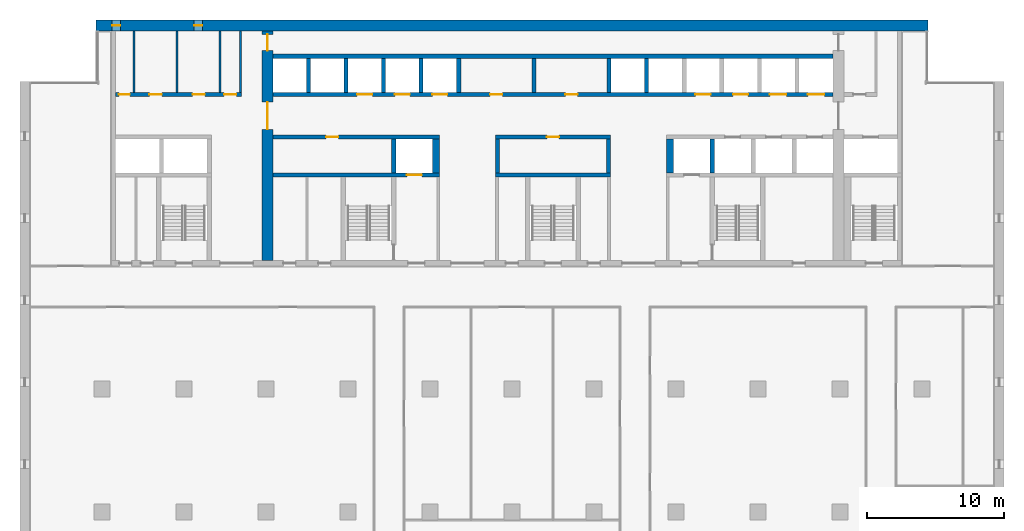
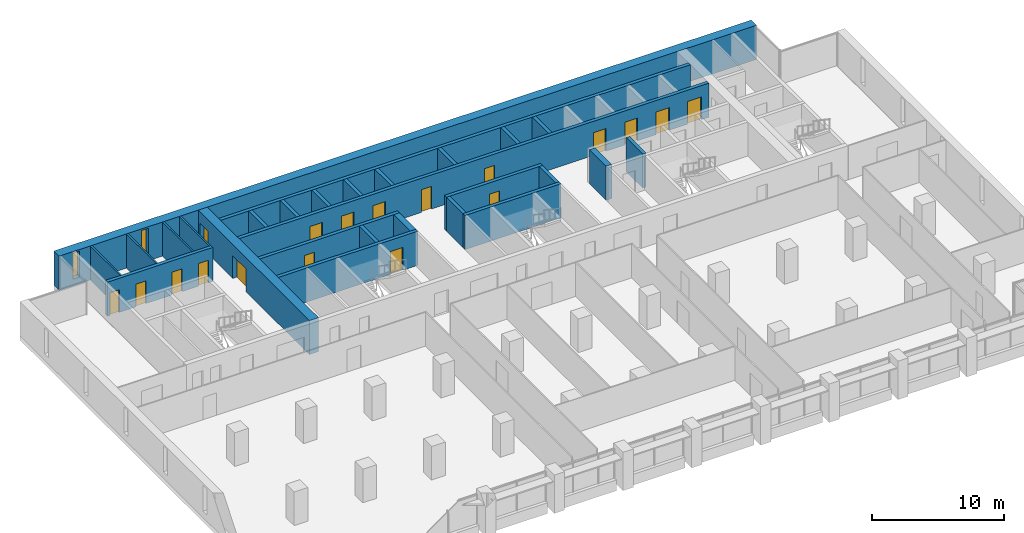
# One storey, part 10 of 15: 27 walls, 18 doors, 2 windows, 20 openings.
"""IFC4 building model written with IfcOpenShell, lengths in metres."""

from ifc_helpers import new_model, si_unit, direction, frame, frame_2d, origin, place, context, subcontext, project, spatial, rectangle, extrude, material, layer, layer_set, type_object, element, fill, save


model = new_model("IFC4")

# Units and contexts
model_context = context("Model", 3, precision=1e-05, world=origin(), true_north=direction((0.0, 1.0)))
body_context = subcontext(model_context, "Body", "Model", "MODEL_VIEW")
ifc_project = project(units=[si_unit("LENGTHUNIT", "METRE"), si_unit("AREAUNIT", "SQUARE_METRE"), si_unit("VOLUMEUNIT", "CUBIC_METRE"), si_unit("PLANEANGLEUNIT", "RADIAN"), si_unit("MASSUNIT", "GRAM", prefix="KILO")], contexts=[model_context])

# Site, building, storey
site_placement = place(None, origin())
site = spatial("IfcSite", under=ifc_project, at=site_placement, CompositionType="ELEMENT")
building_placement = place(site_placement, origin())
building = spatial("IfcBuilding", under=site, at=building_placement, Name="Calvaro Tower", CompositionType="ELEMENT")
storey_placement = place(building_placement, frame((0.0, 0.0, 155.0)))
storey = spatial("IfcBuildingStorey", under=building, at=storey_placement, Name="L39", CompositionType="ELEMENT", Elevation=155.0)

# Walls
ifc_material_1 = material(Name="Blockwork partition", Category="masonry")
ifc_layer_1 = layer(ifc_material_1, 0.14990234375)
ifc_layer_set_1 = layer_set([ifc_layer_1], Name="Blockwork partition")
wall_type_1 = type_object("IfcWallType", Name="Core partition 150 EI 60", PredefinedType="PARTITIONING", material=ifc_layer_set_1)
for number, where, z_axis, x_axis, name in (
    (1, (8.35009765625, 40.699951171875, 0.0), (0.0, 0.0, 1.0), (0.0, 1.0, 0.0), "Core partition"),
    (2, (11.5, 40.699951171875, 0.0), (0.0, 0.0, 1.0), (0.0, 1.0, 0.0), "Core partition"),
    (3, (14.64990234375, 40.699951171875, 0.0), (0.0, 0.0, 1.0), (0.0, 1.0, 0.0), "Core partition"),
):
    element("IfcWall", number, at=place(storey_placement, frame(where, z_axis=z_axis, x_axis=x_axis)), inside=storey, type_object=wall_type_1, Name=name, PredefinedType="PARTITIONING", context=body_context, shape_type="SweptSolid", body=[
        extrude(rectangle(XDim=4.5, YDim=0.14990234375, at=frame_2d((2.25, 0.0))), origin(), (0.0, 0.0, 1.0), 3.14990234375),
    ])
ifc_material_2 = material(Name="Blockwork partition", Category="masonry")
ifc_layer_2 = layer(ifc_material_2, 0.14990234375)
ifc_layer_set_2 = layer_set([ifc_layer_2], Name="Blockwork partition")
wall_type_2 = type_object("IfcWallType", Name="Core partition 150 REI 120", PredefinedType="PARTITIONING", material=ifc_layer_set_2)
wall_1_placement = place(storey_placement, frame((16.125, 40.699951171875, 0.0), z_axis=(0.0, 0.0, 1.0), x_axis=(0.0, 1.0, 0.0)))
element("IfcWall", 4, at=wall_1_placement, inside=storey, type_object=wall_type_2, Name="Core partition", PredefinedType="PARTITIONING", context=body_context, shape_type="SweptSolid", body=[
    extrude(rectangle(XDim=4.5, YDim=0.14990234375, at=frame_2d((2.25, 0.0))), origin(), (0.0, 0.0, 1.0), 3.14990234375),
])
ifc_material_3 = material(Name="Blockwork partition", Category="masonry")
ifc_layer_3 = layer(ifc_material_3, 0.300048828125)
ifc_layer_set_3 = layer_set([ifc_layer_3], Name="Blockwork partition")
wall_type_3 = type_object("IfcWallType", Name="Core partition 300 EI 60", PredefinedType="PARTITIONING", material=ifc_layer_set_3)
wall_2_placement = place(storey_placement, frame((37.60009765625, 40.699951171875, 0.0), z_axis=(0.0, 0.0, 1.0), x_axis=(0.0, 1.0, 0.0)))
element("IfcWall", 5, at=wall_2_placement, inside=storey, type_object=wall_type_3, Name="Core partition", PredefinedType="PARTITIONING", context=body_context, shape_type="SweptSolid", body=[
    extrude(rectangle(XDim=2.5, YDim=0.300048828125, at=frame_2d((1.25, 0.0))), origin(), (0.0, 0.0, 1.0), 3.14990234375),
])

# Wall, openings, doors
ifc_material_4 = material(Name="Blockwork partition", Category="masonry")
ifc_layer_4 = layer(ifc_material_4, 0.300048828125)
ifc_layer_set_4 = layer_set([ifc_layer_4], Name="Blockwork partition")
wall_type_4 = type_object("IfcWallType", Name="Core partition 300 REI 120", PredefinedType="PARTITIONING", material=ifc_layer_set_4)
wall_3_placement = place(storey_placement, frame((7.0, 40.550048828125, 0.0), z_axis=(0.0, 0.0, 1.0), x_axis=(1.0, 0.0, 0.0)))
wall_3 = element("IfcWall", 6, at=wall_3_placement, inside=storey, type_object=wall_type_4, Name="Core partition", PredefinedType="PARTITIONING", context=body_context, shape_type="SweptSolid", body=[
    extrude(rectangle(XDim=9.199951171875, YDim=0.300048828125, at=frame_2d((4.60009765625, 0.0))), origin(), (0.0, 0.0, 1.0), 3.14990234375),
])
opening_1_placement = place(wall_3_placement, frame((0.237548828125, 0.0, 0.0)))
opening_1 = element("IfcOpeningElement", 7, at=opening_1_placement, cuts=wall_3, Name="Opening RD8", PredefinedType="OPENING", context=body_context, shape_type="SweptSolid", body=[
    extrude(rectangle(XDim=0.800048828125, YDim=2.10009765625, at=frame_2d((0.39990234375, 1.050048828125))), frame((0.0, 0.159912109375, 0.0), z_axis=(0.0, -1.0, 0.0), x_axis=(1.0, 0.0, 0.0)), (0.0, 0.0, 1.0), 0.320068359375),
])
opening_2_placement = place(wall_3_placement, frame((2.47509765625, 0.0, 0.0)))
opening_2 = element("IfcOpeningElement", 8, at=opening_2_placement, cuts=wall_3, Name="Opening RD9", PredefinedType="OPENING", context=body_context, shape_type="SweptSolid", body=[
    extrude(rectangle(XDim=0.89990234375, YDim=2.10009765625, at=frame_2d((0.449951171875, 1.050048828125))), frame((0.0, 0.159912109375, 0.0), z_axis=(0.0, -1.0, 0.0), x_axis=(1.0, 0.0, 0.0)), (0.0, 0.0, 1.0), 0.320068359375),
])
opening_3_placement = place(wall_3_placement, frame((5.625, 0.0, 0.0)))
opening_3 = element("IfcOpeningElement", 9, at=opening_3_placement, cuts=wall_3, Name="Opening RD9", PredefinedType="OPENING", context=body_context, shape_type="SweptSolid", body=[
    extrude(rectangle(XDim=0.89990234375, YDim=2.10009765625, at=frame_2d((0.449951171875, 1.050048828125))), frame((0.0, 0.159912109375, 0.0), z_axis=(0.0, -1.0, 0.0), x_axis=(1.0, 0.0, 0.0)), (0.0, 0.0, 1.0), 0.320068359375),
])
opening_4_placement = place(wall_3_placement, frame((7.9375, 0.0, 0.0)))
opening_4 = element("IfcOpeningElement", 10, at=opening_4_placement, cuts=wall_3, Name="Opening RD9C", PredefinedType="OPENING", context=body_context, shape_type="SweptSolid", body=[
    extrude(rectangle(XDim=0.89990234375, YDim=2.10009765625, at=frame_2d((0.449951171875, 1.050048828125))), frame((0.0, 0.159912109375, 0.0), z_axis=(0.0, -1.0, 0.0), x_axis=(1.0, 0.0, 0.0)), (0.0, 0.0, 1.0), 0.320068359375),
])
ifc_material_5 = material(Name="Steel door set", Category="steel")
door_type_1 = type_object("IfcDoorType", Name="Room door 800", OperationType="SINGLE_SWING_LEFT", PredefinedType="DOOR", material=ifc_material_5)
door_1_placement = place(opening_1_placement, origin())
door_1 = element("IfcDoor", 11, at=door_1_placement, inside=storey, type_object=door_type_1, Name="Room door", OperationType="SINGLE_SWING_LEFT", OverallHeight=2.10009765625, OverallWidth=0.800048828125, PredefinedType="DOOR", context=body_context, shape_type="SweptSolid", body=[
    extrude(rectangle(XDim=0.800048828125, YDim=2.10009765625, at=frame_2d((0.39990234375, 1.050048828125))), frame((0.0, 0.02490234375, 0.0), z_axis=(0.0, -1.0, 0.0), x_axis=(1.0, 0.0, 0.0)), (0.0, 0.0, 1.0), 0.050048828125),
])
fill(opening_1, door_1)
ifc_material_6 = material(Name="Steel door set", Category="steel")
door_type_2 = type_object("IfcDoorType", Name="Room door 900", OperationType="SINGLE_SWING_LEFT", PredefinedType="DOOR", material=ifc_material_6)
door_2_placement = place(opening_2_placement, origin())
door_2 = element("IfcDoor", 12, at=door_2_placement, inside=storey, type_object=door_type_2, Name="Room door", OperationType="SINGLE_SWING_LEFT", OverallHeight=2.10009765625, OverallWidth=0.89990234375, PredefinedType="DOOR", context=body_context, shape_type="SweptSolid", body=[
    extrude(rectangle(XDim=0.89990234375, YDim=2.10009765625, at=frame_2d((0.449951171875, 1.050048828125))), frame((0.0, 0.02490234375, 0.0), z_axis=(0.0, -1.0, 0.0), x_axis=(1.0, 0.0, 0.0)), (0.0, 0.0, 1.0), 0.050048828125),
])
fill(opening_2, door_2)
door_3_placement = place(opening_3_placement, origin())
door_3 = element("IfcDoor", 13, at=door_3_placement, inside=storey, type_object=door_type_2, Name="Room door", OperationType="SINGLE_SWING_LEFT", OverallHeight=2.10009765625, OverallWidth=0.89990234375, PredefinedType="DOOR", context=body_context, shape_type="SweptSolid", body=[
    extrude(rectangle(XDim=0.89990234375, YDim=2.10009765625, at=frame_2d((0.449951171875, 1.050048828125))), frame((0.0, 0.02490234375, 0.0), z_axis=(0.0, -1.0, 0.0), x_axis=(1.0, 0.0, 0.0)), (0.0, 0.0, 1.0), 0.050048828125),
])
fill(opening_3, door_3)
ifc_material_7 = material(Name="Steel door set", Category="steel")
door_type_3 = type_object("IfcDoorType", Name="Room door 900 FD30", OperationType="SINGLE_SWING_LEFT", PredefinedType="DOOR", material=ifc_material_7)
door_4_placement = place(opening_4_placement, origin())
door_4 = element("IfcDoor", 14, at=door_4_placement, inside=storey, type_object=door_type_3, Name="Room door", OperationType="SINGLE_SWING_LEFT", OverallHeight=2.10009765625, OverallWidth=0.89990234375, PredefinedType="DOOR", context=body_context, shape_type="SweptSolid", body=[
    extrude(rectangle(XDim=0.89990234375, YDim=2.10009765625, at=frame_2d((0.449951171875, 1.050048828125))), frame((0.0, 0.02490234375, 0.0), z_axis=(0.0, -1.0, 0.0), x_axis=(1.0, 0.0, 0.0)), (0.0, 0.0, 1.0), 0.050048828125),
])
fill(opening_4, door_4)

# Wall, opening, door
ifc_material_8 = material(Name="Concrete C60/75", Category="concrete")
ifc_layer_5 = layer(ifc_material_8, 0.300048828125)
ifc_layer_set_5 = layer_set([ifc_layer_5], Name="Concrete C60/75")
wall_type_5 = type_object("IfcWallType", Name="Core wall C60/75 300", PredefinedType="SHEAR", material=ifc_layer_set_5)
wall_4_placement = place(storey_placement, frame((18.5, 34.64990234375, 0.0), z_axis=(0.0, 0.0, 1.0), x_axis=(1.0, 0.0, 0.0)))
wall_4 = element("IfcWall", 15, at=wall_4_placement, inside=storey, type_object=wall_type_5, Name="Core wall, lift shaft", PredefinedType="SHEAR", context=body_context, shape_type="SweptSolid", body=[
    extrude(rectangle(XDim=12.199951171875, YDim=0.300048828125, at=frame_2d((6.10009765625, 0.0))), origin(), (0.0, 0.0, 1.0), 3.14990234375),
])
opening_5_placement = place(wall_4_placement, frame((9.800048828125, 0.0, 0.0)))
opening_5 = element("IfcOpeningElement", 16, at=opening_5_placement, cuts=wall_4, Name="Opening FF1", PredefinedType="OPENING", context=body_context, shape_type="SweptSolid", body=[
    extrude(rectangle(XDim=1.10009765625, YDim=2.10009765625, at=frame_2d((0.550048828125, 1.050048828125))), frame((0.0, 0.159912109375, 0.0), z_axis=(0.0, -1.0, 0.0), x_axis=(1.0, 0.0, 0.0)), (0.0, 0.0, 1.0), 0.320068359375),
])
ifc_material_9 = material(Name="Stainless steel", Category="steel")
door_type_4 = type_object("IfcDoorType", Name="Landing door 1100 E 60", OperationType="SLIDING_TO_LEFT", PredefinedType="DOOR", material=ifc_material_9)
door_5_placement = place(opening_5_placement, origin())
door_5 = element("IfcDoor", 17, at=door_5_placement, inside=storey, type_object=door_type_4, Name="Landing door FF1", OperationType="SLIDING_TO_LEFT", OverallHeight=2.10009765625, OverallWidth=1.10009765625, PredefinedType="DOOR", context=body_context, shape_type="SweptSolid", body=[
    extrude(rectangle(XDim=1.10009765625, YDim=2.10009765625, at=frame_2d((0.550048828125, 1.050048828125))), frame((0.0, 0.02490234375, 0.0), z_axis=(0.0, -1.0, 0.0), x_axis=(1.0, 0.0, 0.0)), (0.0, 0.0, 1.0), 0.050048828125),
])
fill(opening_5, door_5)

# Wall
wall_5_placement = place(storey_placement, frame((34.800048828125, 34.64990234375, 0.0), z_axis=(0.0, 0.0, 1.0), x_axis=(1.0, 0.0, 0.0)))
element("IfcWall", 18, at=wall_5_placement, inside=storey, type_object=wall_type_5, Name="Core wall, lift shaft", PredefinedType="SHEAR", context=body_context, shape_type="SweptSolid", body=[
    extrude(rectangle(XDim=8.39990234375, YDim=0.300048828125, at=frame_2d((4.199951171875, 0.0))), origin(), (0.0, 0.0, 1.0), 3.14990234375),
])

# Wall, opening, door
wall_6_placement = place(storey_placement, frame((30.699951171875, 37.449951171875, 0.0), z_axis=(0.0, 0.0, 1.0), x_axis=(-1.0, 0.0, 0.0)))
wall_6 = element("IfcWall", 19, at=wall_6_placement, inside=storey, type_object=wall_type_5, Name="Core wall, bay", PredefinedType="SHEAR", context=body_context, shape_type="SweptSolid", body=[
    extrude(rectangle(XDim=12.199951171875, YDim=0.300048828125, at=frame_2d((6.10009765625, 0.0))), origin(), (0.0, 0.0, 1.0), 3.14990234375),
])
opening_6_placement = place(wall_6_placement, frame((7.39990234375, 0.0, 0.0)))
opening_6 = element("IfcOpeningElement", 20, at=opening_6_placement, cuts=wall_6, Name="Opening RD9E", PredefinedType="OPENING", context=body_context, shape_type="SweptSolid", body=[
    extrude(rectangle(XDim=0.89990234375, YDim=2.10009765625, at=frame_2d((0.449951171875, 1.050048828125))), frame((0.0, 0.159912109375, 0.0), z_axis=(0.0, -1.0, 0.0), x_axis=(1.0, 0.0, 0.0)), (0.0, 0.0, 1.0), 0.320068359375),
])
ifc_material_10 = material(Name="Steel door set", Category="steel")
door_type_5 = type_object("IfcDoorType", Name="Room door 900 FD60", OperationType="SINGLE_SWING_LEFT", PredefinedType="DOOR", material=ifc_material_10)
door_6_placement = place(opening_6_placement, origin())
door_6 = element("IfcDoor", 21, at=door_6_placement, inside=storey, type_object=door_type_5, Name="Room door", OperationType="SINGLE_SWING_LEFT", OverallHeight=2.10009765625, OverallWidth=0.89990234375, PredefinedType="DOOR", context=body_context, shape_type="SweptSolid", body=[
    extrude(rectangle(XDim=0.89990234375, YDim=2.10009765625, at=frame_2d((0.449951171875, 1.050048828125))), frame((0.0, 0.02490234375, 0.0), z_axis=(0.0, -1.0, 0.0), x_axis=(1.0, 0.0, 0.0)), (0.0, 0.0, 1.0), 0.050048828125),
])
fill(opening_6, door_6)

wall_7_placement = place(storey_placement, frame((43.199951171875, 37.449951171875, 0.0), z_axis=(0.0, 0.0, 1.0), x_axis=(-1.0, 0.0, 0.0)))
wall_7 = element("IfcWall", 22, at=wall_7_placement, inside=storey, type_object=wall_type_5, Name="Core wall, bay", PredefinedType="SHEAR", context=body_context, shape_type="SweptSolid", body=[
    extrude(rectangle(XDim=8.39990234375, YDim=0.300048828125, at=frame_2d((4.199951171875, 0.0))), origin(), (0.0, 0.0, 1.0), 3.14990234375),
])
opening_7_placement = place(wall_7_placement, frame((3.75, 0.0, 0.0)))
opening_7 = element("IfcOpeningElement", 23, at=opening_7_placement, cuts=wall_7, Name="Opening RD9C", PredefinedType="OPENING", context=body_context, shape_type="SweptSolid", body=[
    extrude(rectangle(XDim=0.89990234375, YDim=2.10009765625, at=frame_2d((0.449951171875, 1.050048828125))), frame((0.0, 0.159912109375, 0.0), z_axis=(0.0, -1.0, 0.0), x_axis=(1.0, 0.0, 0.0)), (0.0, 0.0, 1.0), 0.320068359375),
])
door_7_placement = place(opening_7_placement, origin())
door_7 = element("IfcDoor", 24, at=door_7_placement, inside=storey, type_object=door_type_3, Name="Room door", OperationType="SINGLE_SWING_RIGHT", OverallHeight=2.10009765625, OverallWidth=0.89990234375, PredefinedType="DOOR", context=body_context, shape_type="SweptSolid", body=[
    extrude(rectangle(XDim=0.89990234375, YDim=2.10009765625, at=frame_2d((0.449951171875, 1.050048828125))), frame((0.0, 0.02490234375, 0.0), z_axis=(0.0, -1.0, 0.0), x_axis=(1.0, 0.0, 0.0)), (0.0, 0.0, 1.0), 0.050048828125),
])
fill(opening_7, door_7)

# Walls
for number, where, z_axis, x_axis, name in (
    (25, (27.35009765625, 34.800048828125, 0.0), (0.0, 0.0, 1.0), (0.0, 1.0, 0.0), "Core wall, lift shaft"),
    (26, (34.949951171875, 34.800048828125, 0.0), (0.0, 0.0, 1.0), (0.0, 1.0, 0.0), "Core wall, lift shaft"),
    (27, (43.050048828125, 34.800048828125, 0.0), (0.0, 0.0, 1.0), (0.0, 1.0, 0.0), "Core wall, lift shaft"),
    (28, (50.64990234375, 34.800048828125, 0.0), (0.0, 0.0, 1.0), (0.0, 1.0, 0.0), "Core wall, lift shaft"),
):
    element("IfcWall", number, at=place(storey_placement, frame(where, z_axis=z_axis, x_axis=x_axis)), inside=storey, type_object=wall_type_5, Name=name, PredefinedType="SHEAR", context=body_context, shape_type="SweptSolid", body=[
        extrude(rectangle(XDim=2.5, YDim=0.300048828125, at=frame_2d((1.25, 0.0))), origin(), (0.0, 0.0, 1.0), 3.14990234375),
    ])

# Wall, openings, doors
wall_8_placement = place(storey_placement, frame((18.5, 40.550048828125, 0.0), z_axis=(0.0, 0.0, 1.0), x_axis=(1.0, 0.0, 0.0)))
wall_8 = element("IfcWall", 29, at=wall_8_placement, inside=storey, type_object=wall_type_5, Name="Core wall, bay", PredefinedType="SHEAR", context=body_context, shape_type="SweptSolid", body=[
    extrude(rectangle(XDim=41.0, YDim=0.300048828125, at=frame_2d((20.5, 0.0))), origin(), (0.0, 0.0, 1.0), 3.14990234375),
])
opening_8_placement = place(wall_8_placement, frame((15.89990234375, 0.0, 0.0)))
opening_8 = element("IfcOpeningElement", 30, at=opening_8_placement, cuts=wall_8, Name="Opening RD9E", PredefinedType="OPENING", context=body_context, shape_type="SweptSolid", body=[
    extrude(rectangle(XDim=0.89990234375, YDim=2.10009765625, at=frame_2d((0.449951171875, 1.050048828125))), frame((0.0, 0.159912109375, 0.0), z_axis=(0.0, -1.0, 0.0), x_axis=(1.0, 0.0, 0.0)), (0.0, 0.0, 1.0), 0.320068359375),
])
opening_9_placement = place(wall_8_placement, frame((21.39990234375, 0.0, 0.0)))
opening_9 = element("IfcOpeningElement", 31, at=opening_9_placement, cuts=wall_8, Name="Opening RD9C", PredefinedType="OPENING", context=body_context, shape_type="SweptSolid", body=[
    extrude(rectangle(XDim=0.89990234375, YDim=2.10009765625, at=frame_2d((0.449951171875, 1.050048828125))), frame((0.0, 0.159912109375, 0.0), z_axis=(0.0, -1.0, 0.0), x_axis=(1.0, 0.0, 0.0)), (0.0, 0.0, 1.0), 0.320068359375),
])
opening_10_placement = place(wall_8_placement, frame((6.175048828125, 0.0, 0.0)))
opening_10 = element("IfcOpeningElement", 32, at=opening_10_placement, cuts=wall_8, Name="Opening MR4", PredefinedType="OPENING", context=body_context, shape_type="SweptSolid", body=[
    extrude(rectangle(XDim=1.10009765625, YDim=2.10009765625, at=frame_2d((0.550048828125, 1.050048828125))), frame((0.0, 0.159912109375, 0.0), z_axis=(0.0, -1.0, 0.0), x_axis=(1.0, 0.0, 0.0)), (0.0, 0.0, 1.0), 0.320068359375),
])
opening_11_placement = place(wall_8_placement, frame((8.925048828125, 0.0, 0.0)))
opening_11 = element("IfcOpeningElement", 33, at=opening_11_placement, cuts=wall_8, Name="Opening MR5", PredefinedType="OPENING", context=body_context, shape_type="SweptSolid", body=[
    extrude(rectangle(XDim=1.10009765625, YDim=2.10009765625, at=frame_2d((0.550048828125, 1.050048828125))), frame((0.0, 0.159912109375, 0.0), z_axis=(0.0, -1.0, 0.0), x_axis=(1.0, 0.0, 0.0)), (0.0, 0.0, 1.0), 0.320068359375),
])
opening_12_placement = place(wall_8_placement, frame((11.675048828125, 0.0, 0.0)))
opening_12 = element("IfcOpeningElement", 34, at=opening_12_placement, cuts=wall_8, Name="Opening MR6", PredefinedType="OPENING", context=body_context, shape_type="SweptSolid", body=[
    extrude(rectangle(XDim=1.10009765625, YDim=2.10009765625, at=frame_2d((0.550048828125, 1.050048828125))), frame((0.0, 0.159912109375, 0.0), z_axis=(0.0, -1.0, 0.0), x_axis=(1.0, 0.0, 0.0)), (0.0, 0.0, 1.0), 0.320068359375),
])
opening_13_placement = place(wall_8_placement, frame((30.925048828125, 0.0, 0.0)))
opening_13 = element("IfcOpeningElement", 35, at=opening_13_placement, cuts=wall_8, Name="Opening MR7", PredefinedType="OPENING", context=body_context, shape_type="SweptSolid", body=[
    extrude(rectangle(XDim=1.10009765625, YDim=2.10009765625, at=frame_2d((0.550048828125, 1.050048828125))), frame((0.0, 0.159912109375, 0.0), z_axis=(0.0, -1.0, 0.0), x_axis=(1.0, 0.0, 0.0)), (0.0, 0.0, 1.0), 0.320068359375),
])
opening_14_placement = place(wall_8_placement, frame((33.675048828125, 0.0, 0.0)))
opening_14 = element("IfcOpeningElement", 36, at=opening_14_placement, cuts=wall_8, Name="Opening MR8", PredefinedType="OPENING", context=body_context, shape_type="SweptSolid", body=[
    extrude(rectangle(XDim=1.10009765625, YDim=2.10009765625, at=frame_2d((0.550048828125, 1.050048828125))), frame((0.0, 0.159912109375, 0.0), z_axis=(0.0, -1.0, 0.0), x_axis=(1.0, 0.0, 0.0)), (0.0, 0.0, 1.0), 0.320068359375),
])
opening_15_placement = place(wall_8_placement, frame((36.375, 0.0, 0.0)))
opening_15 = element("IfcOpeningElement", 37, at=opening_15_placement, cuts=wall_8, Name="Opening SV1", PredefinedType="OPENING", context=body_context, shape_type="SweptSolid", body=[
    extrude(rectangle(XDim=1.199951171875, YDim=2.10009765625, at=frame_2d((0.60009765625, 1.050048828125))), frame((0.0, 0.159912109375, 0.0), z_axis=(0.0, -1.0, 0.0), x_axis=(1.0, 0.0, 0.0)), (0.0, 0.0, 1.0), 0.320068359375),
])
opening_16_placement = place(wall_8_placement, frame((39.14990234375, 0.0, 0.0)))
opening_16 = element("IfcOpeningElement", 38, at=opening_16_placement, cuts=wall_8, Name="Opening SV2", PredefinedType="OPENING", context=body_context, shape_type="SweptSolid", body=[
    extrude(rectangle(XDim=1.199951171875, YDim=2.10009765625, at=frame_2d((0.60009765625, 1.050048828125))), frame((0.0, 0.159912109375, 0.0), z_axis=(0.0, -1.0, 0.0), x_axis=(1.0, 0.0, 0.0)), (0.0, 0.0, 1.0), 0.320068359375),
])
door_8_placement = place(opening_10_placement, origin())
door_8 = element("IfcDoor", 39, at=door_8_placement, inside=storey, type_object=door_type_4, Name="Landing door MR4", OperationType="SLIDING_TO_LEFT", OverallHeight=2.10009765625, OverallWidth=1.10009765625, PredefinedType="DOOR", context=body_context, shape_type="SweptSolid", body=[
    extrude(rectangle(XDim=1.10009765625, YDim=2.10009765625, at=frame_2d((0.550048828125, 1.050048828125))), frame((0.0, 0.02490234375, 0.0), z_axis=(0.0, -1.0, 0.0), x_axis=(1.0, 0.0, 0.0)), (0.0, 0.0, 1.0), 0.050048828125),
])
fill(opening_10, door_8)
door_9_placement = place(opening_11_placement, origin())
door_9 = element("IfcDoor", 40, at=door_9_placement, inside=storey, type_object=door_type_4, Name="Landing door MR5", OperationType="SLIDING_TO_LEFT", OverallHeight=2.10009765625, OverallWidth=1.10009765625, PredefinedType="DOOR", context=body_context, shape_type="SweptSolid", body=[
    extrude(rectangle(XDim=1.10009765625, YDim=2.10009765625, at=frame_2d((0.550048828125, 1.050048828125))), frame((0.0, 0.02490234375, 0.0), z_axis=(0.0, -1.0, 0.0), x_axis=(1.0, 0.0, 0.0)), (0.0, 0.0, 1.0), 0.050048828125),
])
fill(opening_11, door_9)
door_10_placement = place(opening_12_placement, origin())
door_10 = element("IfcDoor", 41, at=door_10_placement, inside=storey, type_object=door_type_4, Name="Landing door MR6", OperationType="SLIDING_TO_LEFT", OverallHeight=2.10009765625, OverallWidth=1.10009765625, PredefinedType="DOOR", context=body_context, shape_type="SweptSolid", body=[
    extrude(rectangle(XDim=1.10009765625, YDim=2.10009765625, at=frame_2d((0.550048828125, 1.050048828125))), frame((0.0, 0.02490234375, 0.0), z_axis=(0.0, -1.0, 0.0), x_axis=(1.0, 0.0, 0.0)), (0.0, 0.0, 1.0), 0.050048828125),
])
fill(opening_12, door_10)
door_11_placement = place(opening_13_placement, origin())
door_11 = element("IfcDoor", 42, at=door_11_placement, inside=storey, type_object=door_type_4, Name="Landing door MR7", OperationType="SLIDING_TO_LEFT", OverallHeight=2.10009765625, OverallWidth=1.10009765625, PredefinedType="DOOR", context=body_context, shape_type="SweptSolid", body=[
    extrude(rectangle(XDim=1.10009765625, YDim=2.10009765625, at=frame_2d((0.550048828125, 1.050048828125))), frame((0.0, 0.02490234375, 0.0), z_axis=(0.0, -1.0, 0.0), x_axis=(1.0, 0.0, 0.0)), (0.0, 0.0, 1.0), 0.050048828125),
])
fill(opening_13, door_11)
door_12_placement = place(opening_14_placement, origin())
door_12 = element("IfcDoor", 43, at=door_12_placement, inside=storey, type_object=door_type_4, Name="Landing door MR8", OperationType="SLIDING_TO_LEFT", OverallHeight=2.10009765625, OverallWidth=1.10009765625, PredefinedType="DOOR", context=body_context, shape_type="SweptSolid", body=[
    extrude(rectangle(XDim=1.10009765625, YDim=2.10009765625, at=frame_2d((0.550048828125, 1.050048828125))), frame((0.0, 0.02490234375, 0.0), z_axis=(0.0, -1.0, 0.0), x_axis=(1.0, 0.0, 0.0)), (0.0, 0.0, 1.0), 0.050048828125),
])
fill(opening_14, door_12)
ifc_material_11 = material(Name="Stainless steel", Category="steel")
door_type_6 = type_object("IfcDoorType", Name="Landing door 1200 E 60", OperationType="SLIDING_TO_LEFT", PredefinedType="DOOR", material=ifc_material_11)
door_13_placement = place(opening_15_placement, origin())
door_13 = element("IfcDoor", 44, at=door_13_placement, inside=storey, type_object=door_type_6, Name="Landing door SV1", OperationType="SLIDING_TO_LEFT", OverallHeight=2.10009765625, OverallWidth=1.199951171875, PredefinedType="DOOR", context=body_context, shape_type="SweptSolid", body=[
    extrude(rectangle(XDim=1.199951171875, YDim=2.10009765625, at=frame_2d((0.60009765625, 1.050048828125))), frame((0.0, 0.02490234375, 0.0), z_axis=(0.0, -1.0, 0.0), x_axis=(1.0, 0.0, 0.0)), (0.0, 0.0, 1.0), 0.050048828125),
])
fill(opening_15, door_13)
door_14_placement = place(opening_16_placement, origin())
door_14 = element("IfcDoor", 45, at=door_14_placement, inside=storey, type_object=door_type_6, Name="Landing door SV2", OperationType="SLIDING_TO_LEFT", OverallHeight=2.10009765625, OverallWidth=1.199951171875, PredefinedType="DOOR", context=body_context, shape_type="SweptSolid", body=[
    extrude(rectangle(XDim=1.199951171875, YDim=2.10009765625, at=frame_2d((0.60009765625, 1.050048828125))), frame((0.0, 0.02490234375, 0.0), z_axis=(0.0, -1.0, 0.0), x_axis=(1.0, 0.0, 0.0)), (0.0, 0.0, 1.0), 0.050048828125),
])
fill(opening_16, door_14)
door_15_placement = place(opening_9_placement, origin())
door_15 = element("IfcDoor", 46, at=door_15_placement, inside=storey, type_object=door_type_3, Name="Room door", OperationType="SINGLE_SWING_LEFT", OverallHeight=2.10009765625, OverallWidth=0.89990234375, PredefinedType="DOOR", context=body_context, shape_type="SweptSolid", body=[
    extrude(rectangle(XDim=0.89990234375, YDim=2.10009765625, at=frame_2d((0.449951171875, 1.050048828125))), frame((0.0, 0.02490234375, 0.0), z_axis=(0.0, -1.0, 0.0), x_axis=(1.0, 0.0, 0.0)), (0.0, 0.0, 1.0), 0.050048828125),
])
fill(opening_9, door_15)
door_16_placement = place(opening_8_placement, origin())
door_16 = element("IfcDoor", 47, at=door_16_placement, inside=storey, type_object=door_type_5, Name="Room door", OperationType="SINGLE_SWING_LEFT", OverallHeight=2.10009765625, OverallWidth=0.89990234375, PredefinedType="DOOR", context=body_context, shape_type="SweptSolid", body=[
    extrude(rectangle(XDim=0.89990234375, YDim=2.10009765625, at=frame_2d((0.449951171875, 1.050048828125))), frame((0.0, 0.02490234375, 0.0), z_axis=(0.0, -1.0, 0.0), x_axis=(1.0, 0.0, 0.0)), (0.0, 0.0, 1.0), 0.050048828125),
])
fill(opening_8, door_16)

# Walls
wall_9_placement = place(storey_placement, frame((18.5, 43.35009765625, 0.0), z_axis=(0.0, 0.0, 1.0), x_axis=(1.0, 0.0, 0.0)))
element("IfcWall", 48, at=wall_9_placement, inside=storey, type_object=wall_type_5, Name="Core wall, lift shaft", PredefinedType="SHEAR", context=body_context, shape_type="SweptSolid", body=[
    extrude(rectangle(XDim=41.0, YDim=0.300048828125, at=frame_2d((20.5, 0.0))), origin(), (0.0, 0.0, 1.0), 3.14990234375),
])
for number, where, z_axis, x_axis, name in (
    (49, (21.10009765625, 40.699951171875, 0.0), (0.0, 0.0, 1.0), (0.0, 1.0, 0.0), "Core wall, lift shaft"),
    (50, (23.85009765625, 40.699951171875, 0.0), (0.0, 0.0, 1.0), (0.0, 1.0, 0.0), "Core wall, lift shaft"),
    (51, (26.60009765625, 40.699951171875, 0.0), (0.0, 0.0, 1.0), (0.0, 1.0, 0.0), "Core wall, lift shaft"),
    (52, (29.35009765625, 40.699951171875, 0.0), (0.0, 0.0, 1.0), (0.0, 1.0, 0.0), "Core wall, lift shaft"),
    (53, (32.10009765625, 40.699951171875, 0.0), (0.0, 0.0, 1.0), (0.0, 1.0, 0.0), "Core wall, lift shaft"),
    (54, (43.10009765625, 40.699951171875, 0.0), (0.0, 0.0, 1.0), (0.0, 1.0, 0.0), "Core wall, lift shaft"),
    (55, (45.85009765625, 40.699951171875, 0.0), (0.0, 0.0, 1.0), (0.0, 1.0, 0.0), "Core wall, lift shaft"),
):
    element("IfcWall", number, at=place(storey_placement, frame(where, z_axis=z_axis, x_axis=x_axis)), inside=storey, type_object=wall_type_5, Name=name, PredefinedType="SHEAR", context=body_context, shape_type="SweptSolid", body=[
        extrude(rectangle(XDim=2.5, YDim=0.300048828125, at=frame_2d((1.25, 0.0))), origin(), (0.0, 0.0, 1.0), 3.14990234375),
    ])
ifc_material_12 = material(Name="Concrete C60/75", Category="concrete")
ifc_layer_6 = layer(ifc_material_12, 0.5)
ifc_layer_set_6 = layer_set([ifc_layer_6], Name="Concrete C60/75")
wall_type_6 = type_object("IfcWallType", Name="Core wall C60/75 500", PredefinedType="SHEAR", material=ifc_layer_set_6)
for number, where, z_axis, x_axis, name in (
    (56, (30.449951171875, 34.800048828125, 0.0), (0.0, 0.0, 1.0), (0.0, 1.0, 0.0), "Core wall, lift shaft"),
    (57, (47.550048828125, 34.800048828125, 0.0), (0.0, 0.0, 1.0), (0.0, 1.0, 0.0), "Core wall, lift shaft"),
):
    element("IfcWall", number, at=place(storey_placement, frame(where, z_axis=z_axis, x_axis=x_axis)), inside=storey, type_object=wall_type_6, Name=name, PredefinedType="SHEAR", context=body_context, shape_type="SweptSolid", body=[
        extrude(rectangle(XDim=2.5, YDim=0.5, at=frame_2d((1.25, 0.0))), origin(), (0.0, 0.0, 1.0), 3.14990234375),
    ])

# Wall, openings, doors
ifc_material_13 = material(Name="Concrete C60/75", Category="concrete")
ifc_layer_7 = layer(ifc_material_13, 0.800048828125)
ifc_layer_set_7 = layer_set([ifc_layer_7], Name="Concrete C60/75")
wall_type_7 = type_object("IfcWallType", Name="Core wall C60/75 800", PredefinedType="SHEAR", material=ifc_layer_set_7)
wall_10_placement = place(storey_placement, frame((18.10009765625, 28.39990234375, 0.0), z_axis=(0.0, 0.0, 1.0), x_axis=(0.0, 1.0, 0.0)))
wall_10 = element("IfcWall", 58, at=wall_10_placement, inside=storey, type_object=wall_type_7, Name="Core wall, cross shear wall", PredefinedType="SHEAR", context=body_context, shape_type="SweptSolid", body=[
    extrude(rectangle(XDim=16.800048828125, YDim=0.800048828125, at=frame_2d((8.39990234375, 0.0))), origin(), (0.0, 0.0, 1.0), 3.14990234375),
])
opening_17_placement = place(wall_10_placement, frame((9.60009765625, 0.0, 0.0)))
opening_17 = element("IfcOpeningElement", 59, at=opening_17_placement, cuts=wall_10, Name="Opening DD20D", PredefinedType="OPENING", context=body_context, shape_type="SweptSolid", body=[
    extrude(rectangle(XDim=2.0, YDim=2.10009765625, at=frame_2d((1.0, 1.050048828125))), frame((0.0, 0.409912109375, 0.0), z_axis=(0.0, -1.0, 0.0), x_axis=(1.0, 0.0, 0.0)), (0.0, 0.0, 1.0), 0.820068359375),
])
opening_18_placement = place(wall_10_placement, frame((15.35009765625, 0.0, 0.0)))
opening_18 = element("IfcOpeningElement", 60, at=opening_18_placement, cuts=wall_10, Name="Opening FD12C", PredefinedType="OPENING", context=body_context, shape_type="SweptSolid", body=[
    extrude(rectangle(XDim=1.199951171875, YDim=2.10009765625, at=frame_2d((0.60009765625, 1.050048828125))), frame((0.0, 0.409912109375, 0.0), z_axis=(0.0, -1.0, 0.0), x_axis=(1.0, 0.0, 0.0)), (0.0, 0.0, 1.0), 0.820068359375),
])
ifc_material_14 = material(Name="Steel door set", Category="steel")
door_type_7 = type_object("IfcDoorType", Name="Fire door 1200 FD30", OperationType="SINGLE_SWING_LEFT", PredefinedType="DOOR", material=ifc_material_14)
door_17_placement = place(opening_18_placement, origin())
door_17 = element("IfcDoor", 61, at=door_17_placement, inside=storey, type_object=door_type_7, Name="Fire door", OperationType="SINGLE_SWING_LEFT", OverallHeight=2.10009765625, OverallWidth=1.199951171875, PredefinedType="DOOR", context=body_context, shape_type="SweptSolid", body=[
    extrude(rectangle(XDim=1.199951171875, YDim=2.10009765625, at=frame_2d((0.60009765625, 1.050048828125))), frame((0.0, 0.02490234375, 0.0), z_axis=(0.0, -1.0, 0.0), x_axis=(1.0, 0.0, 0.0)), (0.0, 0.0, 1.0), 0.050048828125),
])
fill(opening_18, door_17)
ifc_material_15 = material(Name="Steel door set", Category="steel")
door_type_8 = type_object("IfcDoorType", Name="Lobby double door 2000 FD30S", OperationType="DOUBLE_DOOR_SINGLE_SWING", PredefinedType="DOOR", material=ifc_material_15)
door_18_placement = place(opening_17_placement, origin())
door_18 = element("IfcDoor", 62, at=door_18_placement, inside=storey, type_object=door_type_8, Name="Lobby double door", OperationType="DOUBLE_DOOR_SINGLE_SWING", OverallHeight=2.10009765625, OverallWidth=2.0, PredefinedType="DOOR", context=body_context, shape_type="SweptSolid", body=[
    extrude(rectangle(XDim=2.0, YDim=2.10009765625, at=frame_2d((1.0, 1.050048828125))), frame((0.0, 0.02490234375, 0.0), z_axis=(0.0, -1.0, 0.0), x_axis=(1.0, 0.0, 0.0)), (0.0, 0.0, 1.0), 0.050048828125),
])
fill(opening_17, door_18)

# Wall, openings, windows
ifc_material_16 = material(Name="Concrete C60/75", Category="concrete")
ifc_layer_8 = layer(ifc_material_16, 0.800048828125)
ifc_layer_set_8 = layer_set([ifc_layer_8], Name="Concrete C60/75")
wall_type_8 = type_object("IfcWallType", Name="Rear core wall 800 C60/75", PredefinedType="SHEAR", material=ifc_layer_set_8)
wall_11_placement = place(storey_placement, frame((5.550048828125, 45.60009765625, 0.0), z_axis=(0.0, 0.0, 1.0), x_axis=(1.0, 0.0, 0.0)))
wall_11 = element("IfcWall", 63, at=wall_11_placement, inside=storey, type_object=wall_type_8, Name="North core wall", PredefinedType="SHEAR", context=body_context, shape_type="SweptSolid", body=[
    extrude(rectangle(XDim=60.89990234375, YDim=0.800048828125, at=frame_2d((30.449951171875, 0.0))), origin(), (0.0, 0.0, 1.0), 3.14990234375),
])
opening_19_placement = place(wall_11_placement, frame((1.199951171875, 0.0, 0.60009765625)))
opening_19 = element("IfcOpeningElement", 64, at=opening_19_placement, cuts=wall_11, Name="Opening WN01", PredefinedType="OPENING", context=body_context, shape_type="SweptSolid", body=[
    extrude(rectangle(XDim=0.60009765625, YDim=2.39990234375, at=frame_2d((0.300048828125, 1.199951171875))), frame((0.0, 0.409912109375, 0.0), z_axis=(0.0, -1.0, 0.0), x_axis=(1.0, 0.0, 0.0)), (0.0, 0.0, 1.0), 0.820068359375),
])
opening_20_placement = place(wall_11_placement, frame((7.199951171875, 0.0, 0.60009765625)))
opening_20 = element("IfcOpeningElement", 65, at=opening_20_placement, cuts=wall_11, Name="Opening WN02", PredefinedType="OPENING", context=body_context, shape_type="SweptSolid", body=[
    extrude(rectangle(XDim=0.60009765625, YDim=2.39990234375, at=frame_2d((0.300048828125, 1.199951171875))), frame((0.0, 0.409912109375, 0.0), z_axis=(0.0, -1.0, 0.0), x_axis=(1.0, 0.0, 0.0)), (0.0, 0.0, 1.0), 0.820068359375),
])
ifc_material_17 = material(Name="Glass", Category="glass")
window_type = type_object("IfcWindowType", Name="Slit window 600 x 2400", PartitioningType="SINGLE_PANEL", PredefinedType="WINDOW", material=ifc_material_17)
window_1_placement = place(opening_19_placement, origin())
window_1 = element("IfcWindow", 66, at=window_1_placement, inside=storey, type_object=window_type, Name="Window WN01", OverallHeight=2.39990234375, OverallWidth=0.60009765625, PartitioningType="SINGLE_PANEL", PredefinedType="WINDOW", context=body_context, shape_type="SweptSolid", body=[
    extrude(rectangle(XDim=0.60009765625, YDim=2.39990234375, at=frame_2d((0.300048828125, 1.199951171875))), frame((0.0, 0.030029296875, 0.0), z_axis=(0.0, -1.0, 0.0), x_axis=(1.0, 0.0, 0.0)), (0.0, 0.0, 1.0), 0.06005859375),
])
fill(opening_19, window_1)
window_2_placement = place(opening_20_placement, origin())
window_2 = element("IfcWindow", 67, at=window_2_placement, inside=storey, type_object=window_type, Name="Window WN02", OverallHeight=2.39990234375, OverallWidth=0.60009765625, PartitioningType="SINGLE_PANEL", PredefinedType="WINDOW", context=body_context, shape_type="SweptSolid", body=[
    extrude(rectangle(XDim=0.60009765625, YDim=2.39990234375, at=frame_2d((0.300048828125, 1.199951171875))), frame((0.0, 0.030029296875, 0.0), z_axis=(0.0, -1.0, 0.0), x_axis=(1.0, 0.0, 0.0)), (0.0, 0.0, 1.0), 0.06005859375),
])
fill(opening_20, window_2)

save(model, "model.ifc")
